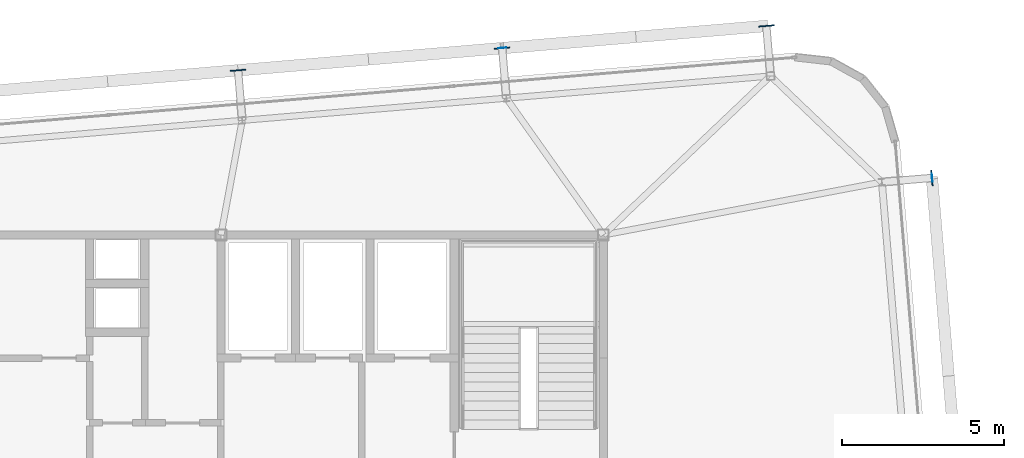
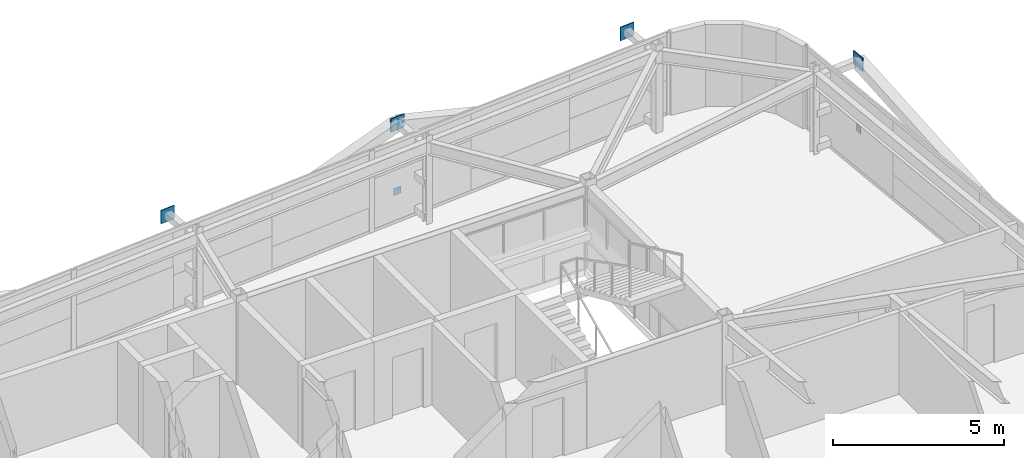
# One storey, part 32 of 37: 6 plates.
"""IFC4 building model written with IfcOpenShell, lengths in metres."""

from ifc_helpers import new_model, si_unit, direction, frame, origin, origin_2d, place, context, subcontext, project, spatial, rectangle, extrude, source, transform, mapped, material, layer, layer_set, type_object, element, save


model = new_model("IFC4")

# Units and contexts
model_context = context("Model", 3, precision=1e-05, world=origin(), true_north=direction((0.0, 1.0)))
body_context = subcontext(model_context, "Body", "Model", "MODEL_VIEW")
ifc_project = project(units=[si_unit("LENGTHUNIT", "METRE"), si_unit("AREAUNIT", "SQUARE_METRE"), si_unit("VOLUMEUNIT", "CUBIC_METRE"), si_unit("PLANEANGLEUNIT", "RADIAN"), si_unit("MASSUNIT", "GRAM", prefix="KILO")], contexts=[model_context])

# Site, building, storey
site_placement = place(None, origin())
site = spatial("IfcSite", under=ifc_project, at=site_placement, CompositionType="ELEMENT")
building_placement = place(site_placement, origin())
building = spatial("IfcBuilding", under=site, at=building_placement, Name="Taldren Reach Tower", CompositionType="ELEMENT")
storey_placement = place(building_placement, frame((0.0, 0.0, 182.0)))
storey = spatial("IfcBuildingStorey", under=building, at=storey_placement, Name="L55", CompositionType="ELEMENT", Elevation=182.0)

# Plates
ifc_material_1 = material(Name="Steel Gr 350 (C350L0)", Category="steel")
ifc_layer_1 = layer(ifc_material_1, 0.011962890625)
ifc_layer_set_1 = layer_set([ifc_layer_1], Name="Steel Gr 350 (C350L0)")
plate_type_1 = type_object("IfcPlateType", Name="PL-CAP-250", PredefinedType="SHEET", material=ifc_layer_set_1)
shared_shape_1 = source(origin(), body_context, "Body", "SweptSolid", [
    extrude(rectangle(XDim=0.25, YDim=0.011962890625, at=origin_2d()), origin(), (0.0, 0.0, 1.0), 0.25),
])
plate_1_placement = place(storey_placement, frame((47.87890625, 37.77197265625, 0.094970703125), z_axis=(0.0, 0.0, 1.0), x_axis=(0.99649285925, 0.083677843332, 0.0)))
element("IfcPlate", 1, at=plate_1_placement, inside=storey, type_object=plate_type_1, Name="Tie strut end cap plate B4-N5 L55", PredefinedType="SHEET", context=body_context, shape_type="MappedRepresentation", body=[
    mapped(shared_shape_1, transform((0.0, 0.0, 0.0), scale=1.0)),
])
shared_shape_2 = source(origin(), body_context, "Body", "SweptSolid", [
    extrude(rectangle(XDim=0.011962890625, YDim=0.25, at=origin_2d()), origin(), (0.0, 0.0, 1.0), 0.25),
])
plate_2_placement = place(storey_placement, frame((61.14697265625, 33.76220703125, 0.094970703125), z_axis=(0.0, 0.0, 1.0), x_axis=(0.99649285925, 0.083677843332, 0.0)))
element("IfcPlate", 2, at=plate_2_placement, inside=storey, type_object=plate_type_1, Name="Tie strut end cap plate B4-E3 L55", PredefinedType="SHEET", context=body_context, shape_type="MappedRepresentation", body=[
    mapped(shared_shape_2, transform((0.0, 0.0, 0.0), scale=1.0)),
])
ifc_material_2 = material(Name="Steel Gr 450 (C450L0)", Category="steel")
ifc_layer_2 = layer(ifc_material_2, 0.031982421875)
ifc_layer_set_2 = layer_set([ifc_layer_2], Name="Steel Gr 450 (C450L0)")
plate_type_2 = type_object("IfcPlateType", Name="PL-GUSSET-32", PredefinedType="SHEET", material=ifc_layer_set_2)
shared_shape_3 = source(origin(), body_context, "Body", "SweptSolid", [
    extrude(rectangle(XDim=0.47998046875, YDim=0.031982421875, at=origin_2d()), origin(), (0.0, 0.0, 1.0), 0.47998046875),
])
for number, where, z_axis, x_axis, name in (
    (3, (39.72802734375, 37.08154296875, 2.409912109375), (0.0, 0.0, 1.0), (0.99649285925, 0.083677843332, 0.0), "Exoskeleton star-node gusset plate B4-N4 L55"),
    (4, (47.87939453125, 37.76611328125, 2.409912109375), (0.0, 0.0, 1.0), (0.99649285925, 0.083677843332, 0.0), "Exoskeleton star-node gusset plate B4-N5 L55"),
    (5, (56.03076171875, 38.450439453125, 2.409912109375), (0.0, 0.0, 1.0), (0.99649285925, 0.083677843332, 0.0), "Exoskeleton star-node gusset plate B4-N6 L55"),
    (6, (61.140869140625, 33.76171875, 2.409912109375), (0.0, 0.0, 1.0), (-0.083677843332, 0.99649285925, 0.0), "Exoskeleton star-node gusset plate B4-E3 L55"),
):
    element("IfcPlate", number, at=place(storey_placement, frame(where, z_axis=z_axis, x_axis=x_axis)), inside=storey, type_object=plate_type_2, Name=name, PredefinedType="SHEET", context=body_context, shape_type="MappedRepresentation", body=[
        mapped(shared_shape_3, transform((0.0, 0.0, 0.0), scale=1.0)),
    ])

save(model, "model.ifc")
